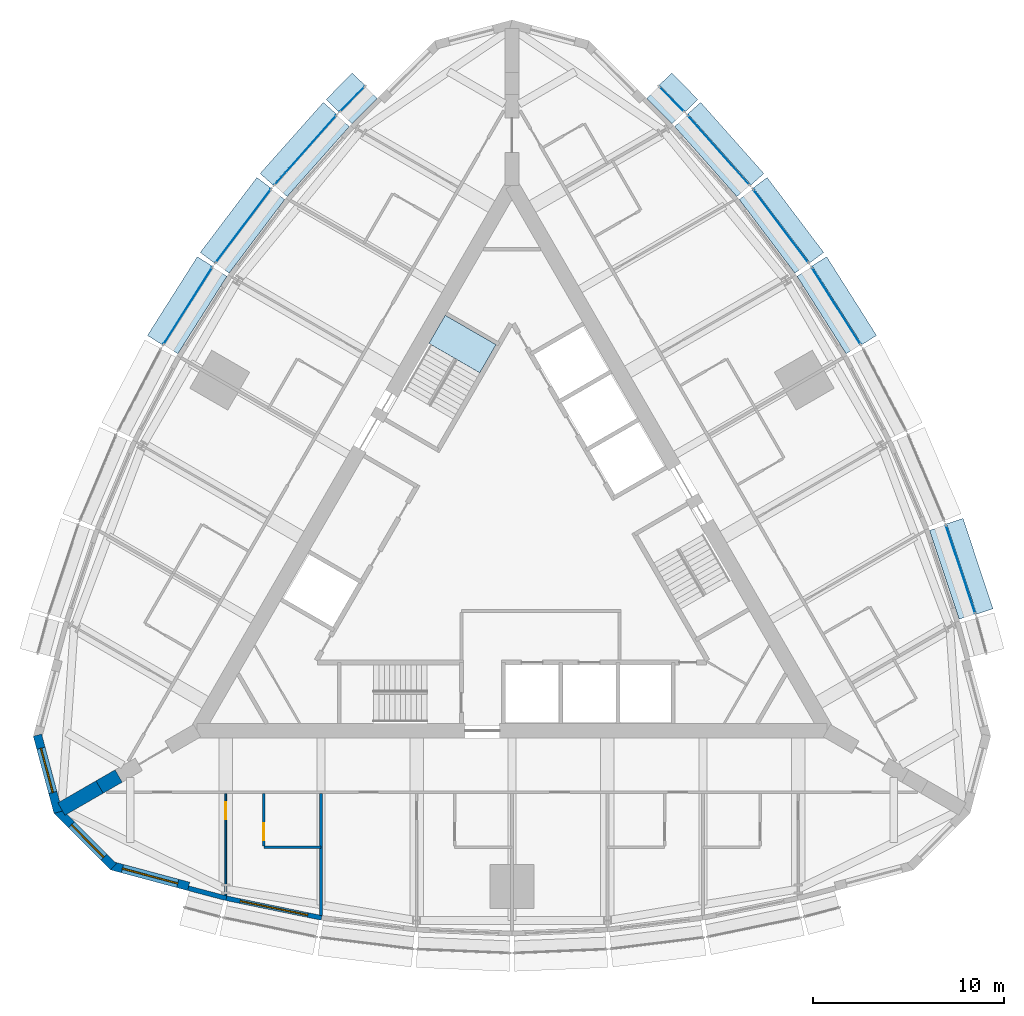
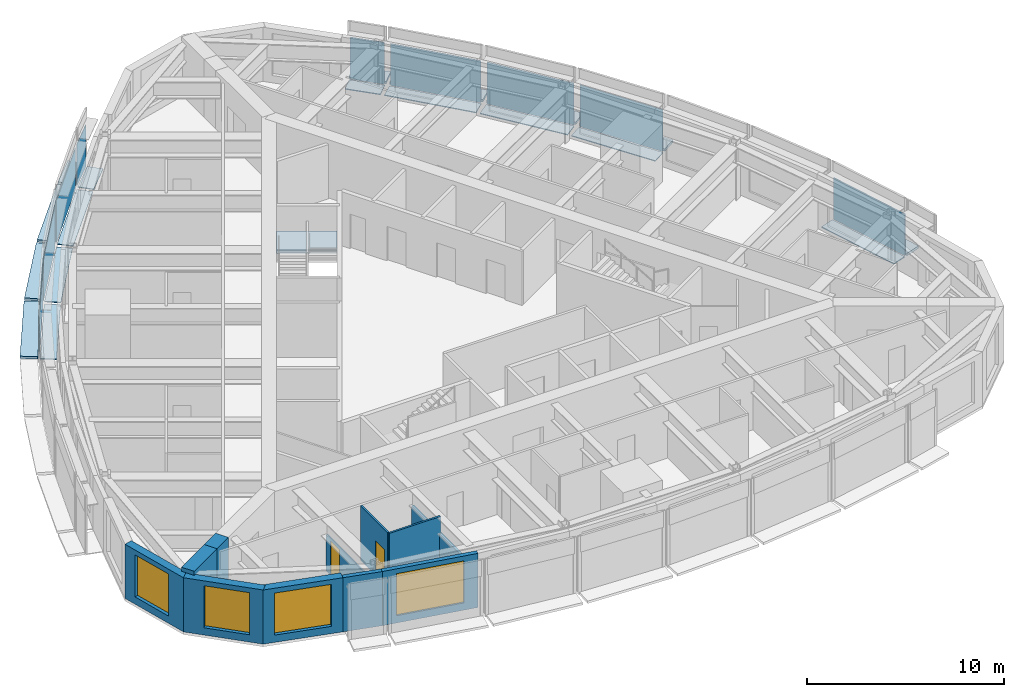
# One storey, part 8 of 15: 27 plates, 11 walls, 4 windows, 2 doors, 1 slab, 6 openings, 10 elements without a shape of their own.
"""IFC4 building model written with IfcOpenShell, lengths in metres."""

from ifc_helpers import new_model, si_unit, direction, frame, frame_2d, origin, origin_2d, place, context, subcontext, project, spatial, polyline, rectangle, outline, extrude, material, layer, layer_set, type_object, element, fill, aggregate, save


model = new_model("IFC4")

# Units and contexts
model_context = context("Model", 3, precision=1e-05, world=origin(), true_north=direction((0.0, 1.0)))
body_context = subcontext(model_context, "Body", "Model", "MODEL_VIEW")
ifc_project = project(units=[si_unit("LENGTHUNIT", "METRE"), si_unit("AREAUNIT", "SQUARE_METRE"), si_unit("VOLUMEUNIT", "CUBIC_METRE"), si_unit("PLANEANGLEUNIT", "RADIAN"), si_unit("MASSUNIT", "GRAM", prefix="KILO")], contexts=[model_context])

# Site, building, storey
site_placement = place(None, origin())
site = spatial("IfcSite", under=ifc_project, at=site_placement, CompositionType="ELEMENT")
building_placement = place(site_placement, origin())
building = spatial("IfcBuilding", under=site, at=building_placement, Name="Trikona Tower", CompositionType="ELEMENT")
storey_placement = place(building_placement, frame((0.0, 0.0, 229.699951171875)))
storey = spatial("IfcBuildingStorey", under=building, at=storey_placement, Name="L61", CompositionType="ELEMENT", Elevation=229.699951171875)

# Plates
ifc_material_1 = material(Name="Aluminium bar grating", Category="aluminium")
ifc_layer_1 = layer(ifc_material_1, 0.050048828125)
ifc_layer_set_1 = layer_set([ifc_layer_1], Name="Cavity catwalk grating")
plate_type_1 = type_object("IfcPlateType", Name="Cavity catwalk grating", PredefinedType="USERDEFINED", material=ifc_layer_set_1)
plate_1_placement = place(storey_placement, frame((23.05078125, -1.22314453125, -0.0498046875), z_axis=(0.0, 0.0, 1.0), x_axis=(-0.315092532747, 0.949060954737, 0.0)))
element("IfcPlate", 1, at=plate_1_placement, inside=storey, type_object=plate_type_1, Name="Cavity catwalk L61-13", ObjectType="CATWALK GRATING", PredefinedType="USERDEFINED", context=body_context, shape_type="SweptSolid", body=[
    extrude(rectangle(XDim=4.90478515625, YDim=0.840087890625, at=origin_2d()), origin(), (0.0, 0.0, 1.0), 0.050048828125),
])
plate_2_placement = place(storey_placement, frame((16.57666015625, 12.477294921875, -0.0498046875), z_axis=(0.0, 0.0, 1.0), x_axis=(-0.535204777743, 0.844722348397, 0.0)))
element("IfcPlate", 2, at=plate_2_placement, inside=storey, type_object=plate_type_1, Name="Cavity catwalk L61-16", ObjectType="CATWALK GRATING", PredefinedType="USERDEFINED", context=body_context, shape_type="SweptSolid", body=[
    extrude(rectangle(XDim=4.80419921875, YDim=0.840087890625, at=origin_2d()), origin(), (0.0, 0.0, 1.0), 0.050048828125),
])
plate_3_placement = place(storey_placement, frame((13.70068359375, 16.6298828125, -0.0498046875), z_axis=(0.0, 0.0, 1.0), x_axis=(-0.602401684924, 0.798193090674, 0.0)))
element("IfcPlate", 3, at=plate_3_placement, inside=storey, type_object=plate_type_1, Name="Cavity catwalk L61-17", ObjectType="CATWALK GRATING", PredefinedType="USERDEFINED", context=body_context, shape_type="SweptSolid", body=[
    extrude(rectangle(XDim=4.837890625, YDim=0.840087890625, at=origin_2d()), origin(), (0.0, 0.0, 1.0), 0.050048828125),
])
plate_4_placement = place(storey_placement, frame((10.466064453125, 20.57421875, -0.0498046875), z_axis=(0.0, 0.0, 1.0), x_axis=(-0.664367239113, 0.747406296196, 0.0)))
element("IfcPlate", 4, at=plate_4_placement, inside=storey, type_object=plate_type_1, Name="Cavity catwalk L61-18", ObjectType="CATWALK GRATING", PredefinedType="USERDEFINED", context=body_context, shape_type="SweptSolid", body=[
    extrude(rectangle(XDim=4.90478515625, YDim=0.840087890625, at=origin_2d()), origin(), (0.0, 0.0, 1.0), 0.050048828125),
])
for number, where, z_axis, x_axis, name in (
    (5, (8.0263671875, 23.23291015625, -0.0498046875), (0.0, 0.0, 1.0), (-0.704151057285, 0.710050201412, 0.0), "Cavity catwalk L61-19"),
    (6, (-8.0263671875, 23.23291015625, -0.0498046875), (0.0, 0.0, 1.0), (-0.704151057285, -0.710050201412, 0.0), "Cavity catwalk L61-24"),
):
    element("IfcPlate", number, at=place(storey_placement, frame(where, z_axis=z_axis, x_axis=x_axis)), inside=storey, type_object=plate_type_1, Name=name, ObjectType="CATWALK GRATING", PredefinedType="USERDEFINED", context=body_context, shape_type="SweptSolid", body=[
        extrude(rectangle(XDim=1.868408203125, YDim=0.840087890625, at=origin_2d()), origin(), (0.0, 0.0, 1.0), 0.050048828125),
    ])
plate_5_placement = place(storey_placement, frame((-10.466064453125, 20.57421875, -0.0498046875), z_axis=(0.0, 0.0, 1.0), x_axis=(-0.664367239113, -0.747406296196, 0.0)))
element("IfcPlate", 7, at=plate_5_placement, inside=storey, type_object=plate_type_1, Name="Cavity catwalk L61-25", ObjectType="CATWALK GRATING", PredefinedType="USERDEFINED", context=body_context, shape_type="SweptSolid", body=[
    extrude(rectangle(XDim=4.90478515625, YDim=0.840087890625, at=origin_2d()), origin(), (0.0, 0.0, 1.0), 0.050048828125),
])
plate_6_placement = place(storey_placement, frame((-13.70068359375, 16.6298828125, -0.0498046875), z_axis=(0.0, 0.0, 1.0), x_axis=(-0.602401684924, -0.798193090674, 0.0)))
element("IfcPlate", 8, at=plate_6_placement, inside=storey, type_object=plate_type_1, Name="Cavity catwalk L61-26", ObjectType="CATWALK GRATING", PredefinedType="USERDEFINED", context=body_context, shape_type="SweptSolid", body=[
    extrude(rectangle(XDim=4.837890625, YDim=0.840087890625, at=origin_2d()), origin(), (0.0, 0.0, 1.0), 0.050048828125),
])
plate_7_placement = place(storey_placement, frame((-16.57666015625, 12.477294921875, -0.0498046875), z_axis=(0.0, 0.0, 1.0), x_axis=(-0.535204777743, -0.844722348397, 0.0)))
element("IfcPlate", 9, at=plate_7_placement, inside=storey, type_object=plate_type_1, Name="Cavity catwalk L61-27", ObjectType="CATWALK GRATING", PredefinedType="USERDEFINED", context=body_context, shape_type="SweptSolid", body=[
    extrude(rectangle(XDim=4.80419921875, YDim=0.840087890625, at=origin_2d()), origin(), (0.0, 0.0, 1.0), 0.050048828125),
])

# Curtain wall, plate
ifc_material_2 = material(Name="Aluminium curtain wall system", Category="aluminium")
curtain_wall_type = type_object("IfcCurtainWallType", Name="Curtain wall DS3S", PredefinedType="NOTDEFINED", material=ifc_material_2)
curtain_wall_1_placement = place(storey_placement, origin())
curtain_wall_1 = element("IfcCurtainWall", 10, at=curtain_wall_1_placement, inside=storey, type_object=curtain_wall_type, Name="Curtain wall DS3S L61", PredefinedType="NOTDEFINED")
ifc_material_3 = material(Name="Laminated clear glass", Category="glass")
ifc_layer_2 = layer(ifc_material_3, 0.028076171875)
ifc_layer_set_2 = layer_set([ifc_layer_2], Name="Glass panel DS3S")
plate_type_2 = type_object("IfcPlateType", Name="Glass panel DS3S", PredefinedType="CURTAIN_PANEL", material=ifc_layer_set_2)
plate_8_placement = place(storey_placement, frame((23.50634765625, -1.072021484375, 0.0), z_axis=(0.0, 0.0, 1.0), x_axis=(-0.315078038687, 0.949065766708, 0.0)))
plate_8 = element("IfcPlate", 11, at=plate_8_placement, type_object=plate_type_2, Name="CW-DS3S panel 1.1", PredefinedType="CURTAIN_PANEL", context=body_context, shape_type="SweptSolid", body=[
    extrude(rectangle(XDim=4.8447265625, YDim=0.028076171875, at=origin_2d()), origin(), (0.0, 0.0, 1.0), 2.60009765625),
])
aggregate(curtain_wall_1, [plate_8])

curtain_wall_2_placement = place(storey_placement, origin())
curtain_wall_2 = element("IfcCurtainWall", 12, at=curtain_wall_2_placement, inside=storey, type_object=curtain_wall_type, Name="Curtain wall DS3S L61", PredefinedType="NOTDEFINED")
plate_9_placement = place(storey_placement, frame((16.982177734375, 12.734130859375, 0.0), z_axis=(0.0, 0.0, 1.0), x_axis=(-0.535197227854, 0.844727131858, 0.0)))
plate_9 = element("IfcPlate", 13, at=plate_9_placement, type_object=plate_type_2, Name="CW-DS3S panel 1.1", PredefinedType="CURTAIN_PANEL", context=body_context, shape_type="SweptSolid", body=[
    extrude(rectangle(XDim=4.744140625, YDim=0.028076171875, at=origin_2d()), origin(), (0.0, 0.0, 1.0), 2.60009765625),
])
aggregate(curtain_wall_2, [plate_9])

curtain_wall_3_placement = place(storey_placement, origin())
curtain_wall_3 = element("IfcCurtainWall", 14, at=curtain_wall_3_placement, inside=storey, type_object=curtain_wall_type, Name="Curtain wall DS3S L61", PredefinedType="NOTDEFINED")
plate_10_placement = place(storey_placement, frame((14.083740234375, 16.9189453125, 0.0), z_axis=(0.0, 0.0, 1.0), x_axis=(-0.602401528506, 0.798193208724, 0.0)))
plate_10 = element("IfcPlate", 15, at=plate_10_placement, type_object=plate_type_2, Name="CW-DS3S panel 1.1", PredefinedType="CURTAIN_PANEL", context=body_context, shape_type="SweptSolid", body=[
    extrude(rectangle(XDim=4.778076171875, YDim=0.028076171875, at=origin_2d()), origin(), (0.0, 0.0, 1.0), 2.60009765625),
])
aggregate(curtain_wall_3, [plate_10])

curtain_wall_4_placement = place(storey_placement, origin())
curtain_wall_4 = element("IfcCurtainWall", 16, at=curtain_wall_4_placement, inside=storey, type_object=curtain_wall_type, Name="Curtain wall DS3S L61", PredefinedType="NOTDEFINED")
plate_11_placement = place(storey_placement, frame((10.82470703125, 20.89306640625, 0.0), z_axis=(0.0, 0.0, 1.0), x_axis=(-0.664371309689, 0.747402677853, 0.0)))
plate_11 = element("IfcPlate", 17, at=plate_11_placement, type_object=plate_type_2, Name="CW-DS3S panel 1.1", PredefinedType="CURTAIN_PANEL", context=body_context, shape_type="SweptSolid", body=[
    extrude(rectangle(XDim=4.844970703125, YDim=0.028076171875, at=origin_2d()), origin(), (0.0, 0.0, 1.0), 2.60009765625),
])
aggregate(curtain_wall_4, [plate_11])

curtain_wall_5_placement = place(storey_placement, origin())
curtain_wall_5 = element("IfcCurtainWall", 18, at=curtain_wall_5_placement, inside=storey, type_object=curtain_wall_type, Name="Curtain wall DS3S L61", PredefinedType="NOTDEFINED")
plate_12_placement = place(storey_placement, frame((8.3671875, 23.57080078125, 0.0), z_axis=(0.0, 0.0, 1.0), x_axis=(-0.704149343903, 0.710051900554, 0.0)))
plate_12 = element("IfcPlate", 19, at=plate_12_placement, type_object=plate_type_2, Name="CW-DS3S panel 1.1", PredefinedType="CURTAIN_PANEL", context=body_context, shape_type="SweptSolid", body=[
    extrude(rectangle(XDim=1.808349609375, YDim=0.028076171875, at=origin_2d()), origin(), (0.0, 0.0, 1.0), 2.60009765625),
])
aggregate(curtain_wall_5, [plate_12])

curtain_wall_6_placement = place(storey_placement, origin())
curtain_wall_6 = element("IfcCurtainWall", 20, at=curtain_wall_6_placement, inside=storey, type_object=curtain_wall_type, Name="Curtain wall DS3S L61", PredefinedType="NOTDEFINED")
plate_13_placement = place(storey_placement, frame((-8.3671875, 23.57080078125, 0.0), z_axis=(0.0, 0.0, 1.0), x_axis=(-0.704149343903, -0.710051900554, 0.0)))
plate_13 = element("IfcPlate", 21, at=plate_13_placement, type_object=plate_type_2, Name="CW-DS3S panel 1.1", PredefinedType="CURTAIN_PANEL", context=body_context, shape_type="SweptSolid", body=[
    extrude(rectangle(XDim=1.808349609375, YDim=0.028076171875, at=origin_2d()), origin(), (0.0, 0.0, 1.0), 2.60009765625),
])
aggregate(curtain_wall_6, [plate_13])

curtain_wall_7_placement = place(storey_placement, origin())
curtain_wall_7 = element("IfcCurtainWall", 22, at=curtain_wall_7_placement, inside=storey, type_object=curtain_wall_type, Name="Curtain wall DS3S L61", PredefinedType="NOTDEFINED")
plate_14_placement = place(storey_placement, frame((-10.82470703125, 20.89306640625, 0.0), z_axis=(0.0, 0.0, 1.0), x_axis=(-0.664371309689, -0.747402677853, 0.0)))
plate_14 = element("IfcPlate", 23, at=plate_14_placement, type_object=plate_type_2, Name="CW-DS3S panel 1.1", PredefinedType="CURTAIN_PANEL", context=body_context, shape_type="SweptSolid", body=[
    extrude(rectangle(XDim=4.844970703125, YDim=0.028076171875, at=origin_2d()), origin(), (0.0, 0.0, 1.0), 2.60009765625),
])
aggregate(curtain_wall_7, [plate_14])

curtain_wall_8_placement = place(storey_placement, origin())
curtain_wall_8 = element("IfcCurtainWall", 24, at=curtain_wall_8_placement, inside=storey, type_object=curtain_wall_type, Name="Curtain wall DS3S L61", PredefinedType="NOTDEFINED")
plate_15_placement = place(storey_placement, frame((-14.083740234375, 16.9189453125, 0.0), z_axis=(0.0, 0.0, 1.0), x_axis=(-0.602401528506, -0.798193208724, 0.0)))
plate_15 = element("IfcPlate", 25, at=plate_15_placement, type_object=plate_type_2, Name="CW-DS3S panel 1.1", PredefinedType="CURTAIN_PANEL", context=body_context, shape_type="SweptSolid", body=[
    extrude(rectangle(XDim=4.778076171875, YDim=0.028076171875, at=origin_2d()), origin(), (0.0, 0.0, 1.0), 2.60009765625),
])
aggregate(curtain_wall_8, [plate_15])

curtain_wall_9_placement = place(storey_placement, origin())
curtain_wall_9 = element("IfcCurtainWall", 26, at=curtain_wall_9_placement, inside=storey, type_object=curtain_wall_type, Name="Curtain wall DS3S L61", PredefinedType="NOTDEFINED")
plate_16_placement = place(storey_placement, frame((-16.982177734375, 12.734130859375, 0.0), z_axis=(0.0, 0.0, 1.0), x_axis=(-0.535197227854, -0.844727131858, 0.0)))
plate_16 = element("IfcPlate", 27, at=plate_16_placement, type_object=plate_type_2, Name="CW-DS3S panel 1.1", PredefinedType="CURTAIN_PANEL", context=body_context, shape_type="SweptSolid", body=[
    extrude(rectangle(XDim=4.744140625, YDim=0.028076171875, at=origin_2d()), origin(), (0.0, 0.0, 1.0), 2.60009765625),
])
aggregate(curtain_wall_9, [plate_16])

# Plates
ifc_material_4 = material(Name="Aluminium plate fin, pale anodised, on stainless steel outriggers", Category="steel")
ifc_layer_3 = layer(ifc_material_4, 0.14990234375)
ifc_layer_set_3 = layer_set([ifc_layer_3], Name="Outer skin fin 900")
plate_type_3 = type_object("IfcPlateType", Name="Outer skin fin 900", PredefinedType="USERDEFINED", material=ifc_layer_set_3)
plate_17_placement = place(storey_placement, frame((23.990234375, -0.9111328125, 0.0), z_axis=(0.0, 0.0, 1.0), x_axis=(-0.315092532747, 0.949060954737, 0.0)))
element("IfcPlate", 28, at=plate_17_placement, inside=storey, type_object=plate_type_3, Name="Outer skin fin L61-13", ObjectType="FIN", PredefinedType="USERDEFINED", context=body_context, shape_type="SweptSolid", body=[
    extrude(rectangle(XDim=4.98486328125, YDim=0.89990234375, at=origin_2d()), origin(), (0.0, 0.0, 1.0), 0.14990234375),
])
plate_18_placement = place(storey_placement, frame((17.4130859375, 13.007080078125, 0.0), z_axis=(0.0, 0.0, 1.0), x_axis=(-0.535204777743, 0.844722348397, 0.0)))
element("IfcPlate", 29, at=plate_18_placement, inside=storey, type_object=plate_type_3, Name="Outer skin fin L61-16", ObjectType="FIN", PredefinedType="USERDEFINED", context=body_context, shape_type="SweptSolid", body=[
    extrude(rectangle(XDim=4.88427734375, YDim=0.89990234375, at=origin_2d()), origin(), (0.0, 0.0, 1.0), 0.14990234375),
])
plate_19_placement = place(storey_placement, frame((14.49072265625, 17.22607421875, 0.0), z_axis=(0.0, 0.0, 1.0), x_axis=(-0.602401684924, 0.798193090674, 0.0)))
element("IfcPlate", 30, at=plate_19_placement, inside=storey, type_object=plate_type_3, Name="Outer skin fin L61-17", ObjectType="FIN", PredefinedType="USERDEFINED", context=body_context, shape_type="SweptSolid", body=[
    extrude(rectangle(XDim=4.91796875, YDim=0.89990234375, at=origin_2d()), origin(), (0.0, 0.0, 1.0), 0.14990234375),
])
plate_20_placement = place(storey_placement, frame((11.2060546875, 21.23193359375, 0.0), z_axis=(0.0, 0.0, 1.0), x_axis=(-0.664367239113, 0.747406296196, 0.0)))
element("IfcPlate", 31, at=plate_20_placement, inside=storey, type_object=plate_type_3, Name="Outer skin fin L61-18", ObjectType="FIN", PredefinedType="USERDEFINED", context=body_context, shape_type="SweptSolid", body=[
    extrude(rectangle(XDim=4.98486328125, YDim=0.89990234375, at=origin_2d()), origin(), (0.0, 0.0, 1.0), 0.14990234375),
])
for number, where, z_axis, x_axis, name in (
    (32, (8.7294921875, 23.929931640625, 0.0), (0.0, 0.0, 1.0), (-0.704151057285, 0.710050201412, 0.0), "Outer skin fin L61-19"),
    (33, (-8.7294921875, 23.929931640625, 0.0), (0.0, 0.0, 1.0), (-0.704151057285, -0.710050201412, 0.0), "Outer skin fin L61-24"),
):
    element("IfcPlate", number, at=place(storey_placement, frame(where, z_axis=z_axis, x_axis=x_axis)), inside=storey, type_object=plate_type_3, Name=name, ObjectType="FIN", PredefinedType="USERDEFINED", context=body_context, shape_type="SweptSolid", body=[
        extrude(rectangle(XDim=1.9482421875, YDim=0.89990234375, at=origin_2d()), origin(), (0.0, 0.0, 1.0), 0.14990234375),
    ])
plate_21_placement = place(storey_placement, frame((-11.2060546875, 21.23193359375, 0.0), z_axis=(0.0, 0.0, 1.0), x_axis=(-0.664367239113, -0.747406296196, 0.0)))
element("IfcPlate", 34, at=plate_21_placement, inside=storey, type_object=plate_type_3, Name="Outer skin fin L61-25", ObjectType="FIN", PredefinedType="USERDEFINED", context=body_context, shape_type="SweptSolid", body=[
    extrude(rectangle(XDim=4.98486328125, YDim=0.89990234375, at=origin_2d()), origin(), (0.0, 0.0, 1.0), 0.14990234375),
])
plate_22_placement = place(storey_placement, frame((-14.49072265625, 17.22607421875, 0.0), z_axis=(0.0, 0.0, 1.0), x_axis=(-0.602401684924, -0.798193090674, 0.0)))
element("IfcPlate", 35, at=plate_22_placement, inside=storey, type_object=plate_type_3, Name="Outer skin fin L61-26", ObjectType="FIN", PredefinedType="USERDEFINED", context=body_context, shape_type="SweptSolid", body=[
    extrude(rectangle(XDim=4.91796875, YDim=0.89990234375, at=origin_2d()), origin(), (0.0, 0.0, 1.0), 0.14990234375),
])
plate_23_placement = place(storey_placement, frame((-17.4130859375, 13.007080078125, 0.0), z_axis=(0.0, 0.0, 1.0), x_axis=(-0.535204777743, -0.844722348397, 0.0)))
element("IfcPlate", 36, at=plate_23_placement, inside=storey, type_object=plate_type_3, Name="Outer skin fin L61-27", ObjectType="FIN", PredefinedType="USERDEFINED", context=body_context, shape_type="SweptSolid", body=[
    extrude(rectangle(XDim=4.88427734375, YDim=0.89990234375, at=origin_2d()), origin(), (0.0, 0.0, 1.0), 0.14990234375),
])

# Stair, slab
ifc_material_5 = material(Name="Concrete f'c 5000 psi", Category="concrete")
stair_type = type_object("IfcStairType", Name="Core stair", PredefinedType="HALF_TURN_STAIR", material=ifc_material_5)
stair_placement = place(storey_placement, origin())
stair = element("IfcStair", 37, at=stair_placement, inside=storey, type_object=stair_type, Name="Stair C L61", PredefinedType="HALF_TURN_STAIR")
ifc_material_6 = material(Name="Concrete f'c 5000 psi", Category="concrete")
ifc_layer_4 = layer(ifc_material_6, 0.199951171875)
ifc_layer_set_4 = layer_set([ifc_layer_4], Name="Stair landing 200")
slab_type = type_object("IfcSlabType", Name="Stair landing 200", PredefinedType="LANDING", material=ifc_layer_set_4)
slab_placement = place(storey_placement, frame((0.0, 0.0, 1.60009765625)))
slab = element("IfcSlab", 38, at=slab_placement, type_object=slab_type, Name="ST-C landing 2", PredefinedType="LANDING", context=body_context, shape_type="SweptSolid", body=[
    extrude(outline(polyline([(-0.837158203125, 10.702392578125), (-1.688720703125, 9.2275390625), (-4.351806640625, 10.76513671875), (-3.500244140625, 12.239990234375), (-0.837158203125, 10.702392578125)])), origin(), (0.0, 0.0, 1.0), 0.199951171875),
])
aggregate(stair, [slab])

# Wall
ifc_material_7 = material(Name="Metal stud and cement board", Category="gypsum")
ifc_layer_5 = layer(ifc_material_7, 0.1201171875)
ifc_layer_set_5 = layer_set([ifc_layer_5], Name="Bathroom wall 120")
wall_type_1 = type_object("IfcWallType", Name="Bathroom wall 120", PredefinedType="PLUMBINGWALL", material=ifc_layer_set_5)
wall_1_placement = place(storey_placement, frame((-13.0, -15.626220703125, 0.0), z_axis=(0.0, 0.0, 1.0), x_axis=(1.0, 0.0, 0.0)))
element("IfcWall", 39, at=wall_1_placement, inside=storey, type_object=wall_type_1, Name="Bathroom wall 6101.1", PredefinedType="PLUMBINGWALL", context=body_context, shape_type="SweptSolid", body=[
    extrude(rectangle(XDim=3.0, YDim=0.1201171875, at=frame_2d((1.5, 0.0))), origin(), (0.0, 0.0, 1.0), 3.35009765625),
])

# Wall, opening, door
wall_2_placement = place(storey_placement, frame((-13.0, -12.826416015625, 0.0), z_axis=(0.0, 0.0, 1.0), x_axis=(0.0, -1.0, 0.0)))
wall_2 = element("IfcWall", 40, at=wall_2_placement, inside=storey, type_object=wall_type_1, Name="Bathroom wall 6101.1", PredefinedType="PLUMBINGWALL", context=body_context, shape_type="SweptSolid", body=[
    extrude(rectangle(XDim=2.739990234375, YDim=0.1201171875, at=frame_2d((1.3701171875, 0.0))), origin(), (0.0, 0.0, 1.0), 3.35009765625),
])
opening_1_placement = place(wall_2_placement, frame((1.550048828125, 0.0, 0.0)))
opening_1 = element("IfcOpeningElement", 41, at=opening_1_placement, cuts=wall_2, Name="Opening D2", PredefinedType="OPENING", context=body_context, shape_type="SweptSolid", body=[
    extrude(rectangle(XDim=0.89990234375, YDim=2.1298828125, at=frame_2d((0.449951171875, 1.06494140625))), frame((0.0, 0.070068359375, 0.0), z_axis=(0.0, -1.0, 0.0), x_axis=(1.0, 0.0, 0.0)), (0.0, 0.0, 1.0), 0.14013671875),
])
ifc_material_8 = material(Name="Steel door frame with solid-core timber leaf", Category="steel")
door_type_1 = type_object("IfcDoorType", Name="Bathroom door 900x2130", OperationType="SLIDING_TO_LEFT", PredefinedType="DOOR", material=ifc_material_8)
door_1_placement = place(opening_1_placement, origin())
door_1 = element("IfcDoor", 42, at=door_1_placement, inside=storey, type_object=door_type_1, Name="Bathroom door 6101.1", OperationType="SLIDING_TO_LEFT", OverallHeight=2.1298828125, OverallWidth=0.89990234375, PredefinedType="DOOR", context=body_context, shape_type="SweptSolid", body=[
    extrude(rectangle(XDim=0.89990234375, YDim=2.1298828125, at=frame_2d((0.449951171875, 1.06494140625))), frame((0.0, 0.02490234375, 0.0), z_axis=(0.0, -1.0, 0.0), x_axis=(1.0, 0.0, 0.0)), (0.0, 0.0, 1.0), 0.050048828125),
])
fill(opening_1, door_1)

# Wall, opening, window
ifc_material_9 = material(Name="Brick-faced precast concrete", Category="masonry")
ifc_layer_6 = layer(ifc_material_9, 0.449951171875)
ifc_layer_set_6 = layer_set([ifc_layer_6], Name="Brick-faced corner wall 450")
wall_type_2 = type_object("IfcWallType", Name="Brick-faced corner wall 450", PredefinedType="SOLIDWALL", material=ifc_layer_set_6)
wall_3_placement = place(storey_placement, frame((-24.865478515625, -9.7568359375, 0.0), z_axis=(0.0, 0.0, 1.0), x_axis=(0.258799282522, -0.96593112144, 0.0)))
wall_3 = element("IfcWall", 43, at=wall_3_placement, inside=storey, type_object=wall_type_2, Name="External wall L61-33", PredefinedType="SOLIDWALL", context=body_context, shape_type="SweptSolid", body=[
    extrude(outline(polyline([(4.183837890625, 0.22509765625), (4.12451171875, 0.22509765625), (3.705078125, 0.112548828125), (3.675048828125, 0.22509765625), (0.0, 0.22509765625), (0.0, -0.22509765625), (4.183837890625, -0.22509765625), (4.183837890625, 0.22509765625)])), origin(), (0.0, 0.0, 1.0), 3.35009765625),
])
opening_2_placement = place(wall_3_placement, frame((0.712646484375, 0.0, 0.449951171875)))
opening_2 = element("IfcOpeningElement", 44, at=opening_2_placement, cuts=wall_3, Name="Opening W2426", PredefinedType="OPENING", context=body_context, shape_type="SweptSolid", body=[
    extrude(rectangle(XDim=2.39990234375, YDim=2.60009765625, at=frame_2d((1.199951171875, 1.300048828125))), frame((0.0, 0.23486328125, 0.0), z_axis=(0.0, -1.0, 0.0), x_axis=(1.0, 0.0, 0.0)), (0.0, 0.0, 1.0), 0.469970703125),
])
ifc_material_10 = material(Name="Aluminium-framed double glazing", Category="aluminium")
window_type_1 = type_object("IfcWindowType", Name="Window 2400x2600", PartitioningType="SINGLE_PANEL", PredefinedType="WINDOW", material=ifc_material_10)
window_1_placement = place(opening_2_placement, origin())
window_1 = element("IfcWindow", 45, at=window_1_placement, inside=storey, type_object=window_type_1, Name="Window 6112", OverallHeight=2.60009765625, OverallWidth=2.39990234375, PartitioningType="SINGLE_PANEL", PredefinedType="WINDOW", context=body_context, shape_type="SweptSolid", body=[
    extrude(rectangle(XDim=2.39990234375, YDim=2.60009765625, at=frame_2d((1.199951171875, 1.300048828125))), frame((0.0, 0.030029296875, 0.0), z_axis=(0.0, -1.0, 0.0), x_axis=(1.0, 0.0, 0.0)), (0.0, 0.0, 1.0), 0.06005859375),
])
fill(opening_2, window_1)

wall_4_placement = place(storey_placement, frame((-23.8408203125, -13.697265625, 0.0), z_axis=(0.0, 0.0, 1.0), x_axis=(0.707077605902, -0.707135955267, 0.0)))
wall_4 = element("IfcWall", 46, at=wall_4_placement, inside=storey, type_object=wall_type_2, Name="External wall L61-34", PredefinedType="SOLIDWALL", context=body_context, shape_type="SweptSolid", body=[
    extrude(outline(polyline([(4.18408203125, 0.22509765625), (0.5087890625, 0.22509765625), (0.478759765625, 0.112548828125), (0.05908203125, 0.22509765625), (0.0, 0.22509765625), (0.0, -0.22509765625), (4.18408203125, -0.22509765625), (4.18408203125, 0.22509765625)])), origin(), (0.0, 0.0, 1.0), 3.35009765625),
])
opening_3_placement = place(wall_4_placement, frame((1.0712890625, 0.0, 0.449951171875)))
opening_3 = element("IfcOpeningElement", 47, at=opening_3_placement, cuts=wall_4, Name="Opening W2426", PredefinedType="OPENING", context=body_context, shape_type="SweptSolid", body=[
    extrude(rectangle(XDim=2.39990234375, YDim=2.60009765625, at=frame_2d((1.199951171875, 1.300048828125))), frame((0.0, 0.23486328125, 0.0), z_axis=(0.0, -1.0, 0.0), x_axis=(1.0, 0.0, 0.0)), (0.0, 0.0, 1.0), 0.469970703125),
])
window_2_placement = place(opening_3_placement, origin())
window_2 = element("IfcWindow", 48, at=window_2_placement, inside=storey, type_object=window_type_1, Name="Window 6101", OverallHeight=2.60009765625, OverallWidth=2.39990234375, PartitioningType="SINGLE_PANEL", PredefinedType="WINDOW", context=body_context, shape_type="SweptSolid", body=[
    extrude(rectangle(XDim=2.39990234375, YDim=2.60009765625, at=frame_2d((1.199951171875, 1.300048828125))), frame((0.0, 0.030029296875, 0.0), z_axis=(0.0, -1.0, 0.0), x_axis=(1.0, 0.0, 0.0)), (0.0, 0.0, 1.0), 0.06005859375),
])
fill(opening_3, window_2)

wall_5_placement = place(storey_placement, frame((-20.9833984375, -16.59765625, 0.0), z_axis=(0.0, 0.0, 1.0), x_axis=(0.965920442324, -0.258839137498, 0.0)))
wall_5 = element("IfcWall", 49, at=wall_5_placement, inside=storey, type_object=wall_type_2, Name="External wall L61-35", PredefinedType="SOLIDWALL", context=body_context, shape_type="SweptSolid", body=[
    extrude(rectangle(XDim=4.18408203125, YDim=0.449951171875, at=frame_2d((2.092041015625, 0.0))), origin(), (0.0, 0.0, 1.0), 3.35009765625),
])
opening_4_placement = place(wall_5_placement, frame((0.592041015625, 0.0, 0.449951171875)))
opening_4 = element("IfcOpeningElement", 50, at=opening_4_placement, cuts=wall_5, Name="Opening W3026", PredefinedType="OPENING", context=body_context, shape_type="SweptSolid", body=[
    extrude(rectangle(XDim=3.0, YDim=2.60009765625, at=frame_2d((1.5, 1.300048828125))), frame((0.0, 0.23486328125, 0.0), z_axis=(0.0, -1.0, 0.0), x_axis=(1.0, 0.0, 0.0)), (0.0, 0.0, 1.0), 0.469970703125),
])
ifc_material_11 = material(Name="Aluminium-framed double glazing", Category="aluminium")
window_type_2 = type_object("IfcWindowType", Name="Window 3000x2600", PartitioningType="SINGLE_PANEL", PredefinedType="WINDOW", material=ifc_material_11)
window_3_placement = place(opening_4_placement, origin())
window_3 = element("IfcWindow", 51, at=window_3_placement, inside=storey, type_object=window_type_2, Name="Window 6101", OverallHeight=2.60009765625, OverallWidth=3.0, PartitioningType="SINGLE_PANEL", PredefinedType="WINDOW", context=body_context, shape_type="SweptSolid", body=[
    extrude(rectangle(XDim=3.0, YDim=2.60009765625, at=frame_2d((1.5, 1.300048828125))), frame((0.0, 0.030029296875, 0.0), z_axis=(0.0, -1.0, 0.0), x_axis=(1.0, 0.0, 0.0)), (0.0, 0.0, 1.0), 0.06005859375),
])
fill(opening_4, window_3)

# Walls
ifc_material_12 = material(Name="Concrete f'c 10000 psi", Category="concrete")
ifc_layer_7 = layer(ifc_material_12, 0.75)
ifc_layer_set_7 = layer_set([ifc_layer_7], Name="Buttress wall 750")
wall_type_3 = type_object("IfcWallType", Name="Buttress wall 750", PredefinedType="SHEAR", material=ifc_layer_set_7)
wall_6_placement = place(storey_placement, frame((-20.6103515625, -11.8994140625, 0.0), z_axis=(0.0, 0.0, 1.0), x_axis=(-0.866009537788, -0.500027479704, 0.0)))
element("IfcWall", 52, at=wall_6_placement, inside=storey, type_object=wall_type_3, Name="Buttress wall 3 part 2", PredefinedType="SHEAR", context=body_context, shape_type="SweptSolid", body=[
    extrude(rectangle(XDim=1.15478515625, YDim=0.75, at=frame_2d((0.577392578125, 0.0))), origin(), (0.0, 0.0, 1.0), 3.60009765625),
])
wall_7_placement = place(storey_placement, frame((-21.6103515625, -12.476806640625, 0.0), z_axis=(0.0, 0.0, 1.0), x_axis=(-0.866055313784, -0.499948190782, 0.0)))
element("IfcWall", 53, at=wall_7_placement, inside=storey, type_object=wall_type_3, Name="Buttress wall 3 part 3", PredefinedType="SHEAR", context=body_context, shape_type="SweptSolid", body=[
    extrude(rectangle(XDim=2.309326171875, YDim=0.75, at=frame_2d((1.15478515625, 0.0))), origin(), (0.0, 0.0, 1.0), 3.60009765625),
])
ifc_material_13 = material(Name="Insulated precast concrete spandrel panel", Category="concrete")
ifc_layer_8 = layer(ifc_material_13, 0.25)
ifc_layer_set_8 = layer_set([ifc_layer_8], Name="Inner skin wall 250")
wall_type_4 = type_object("IfcWallType", Name="Inner skin wall 250", PredefinedType="STANDARD", material=ifc_layer_set_8)
wall_8_placement = place(storey_placement, frame((-16.968017578125, -17.777099609375, 0.0), z_axis=(0.0, 0.0, 1.0), x_axis=(0.967010286052, -0.254737328772, 0.0)))
element("IfcWall", 54, at=wall_8_placement, inside=storey, type_object=wall_type_4, Name="External wall L61-00", PredefinedType="STANDARD", context=body_context, shape_type="SweptSolid", body=[
    extrude(rectangle(XDim=2.068115234375, YDim=0.25, at=frame_2d((1.0341796875, 0.0))), origin(), (0.0, 0.0, 1.0), 3.35009765625),
])

# Wall, opening, window
wall_9_placement = place(storey_placement, frame((-14.974853515625, -18.302490234375, 0.0), z_axis=(0.0, 0.0, 1.0), x_axis=(0.979461488189, -0.201631329795, 0.0)))
wall_9 = element("IfcWall", 55, at=wall_9_placement, inside=storey, type_object=wall_type_4, Name="External wall L61-01", PredefinedType="STANDARD", context=body_context, shape_type="SweptSolid", body=[
    extrude(rectangle(XDim=5.104736328125, YDim=0.25, at=frame_2d((2.55224609375, 0.0))), origin(), (0.0, 0.0, 1.0), 3.35009765625),
])
opening_5_placement = place(wall_9_placement, frame((0.75244140625, 0.0, 0.449951171875)))
opening_5 = element("IfcOpeningElement", 56, at=opening_5_placement, cuts=wall_9, Name="Opening W3626", PredefinedType="OPENING", context=body_context, shape_type="SweptSolid", body=[
    extrude(rectangle(XDim=3.60009765625, YDim=2.60009765625, at=frame_2d((1.800048828125, 1.300048828125))), frame((0.0, 0.135009765625, 0.0), z_axis=(0.0, -1.0, 0.0), x_axis=(1.0, 0.0, 0.0)), (0.0, 0.0, 1.0), 0.27001953125),
])
ifc_material_14 = material(Name="Aluminium-framed double glazing", Category="aluminium")
window_type_3 = type_object("IfcWindowType", Name="Window 3600x2600", PartitioningType="SINGLE_PANEL", PredefinedType="WINDOW", material=ifc_material_14)
window_4_placement = place(opening_5_placement, origin())
window_4 = element("IfcWindow", 57, at=window_4_placement, inside=storey, type_object=window_type_3, Name="Window 6101.1", OverallHeight=2.60009765625, OverallWidth=3.60009765625, PartitioningType="SINGLE_PANEL", PredefinedType="WINDOW", context=body_context, shape_type="SweptSolid", body=[
    extrude(rectangle(XDim=3.60009765625, YDim=2.60009765625, at=frame_2d((1.800048828125, 1.300048828125))), frame((0.0, 0.030029296875, 0.0), z_axis=(0.0, -1.0, 0.0), x_axis=(1.0, 0.0, 0.0)), (0.0, 0.0, 1.0), 0.06005859375),
])
fill(opening_5, window_4)

# Wall
ifc_material_15 = material(Name="Metal stud and gypsum board, 1-hour acoustic", Category="gypsum")
ifc_layer_9 = layer(ifc_material_15, 0.14990234375)
ifc_layer_set_9 = layer_set([ifc_layer_9], Name="Party wall 150")
wall_type_5 = type_object("IfcWallType", Name="Party wall 150", PredefinedType="PARTITIONING", material=ifc_layer_set_9)
wall_10_placement = place(storey_placement, frame((-10.0, -12.826416015625, 0.0), z_axis=(0.0, 0.0, 1.0), x_axis=(0.0, -1.0, 0.0)))
element("IfcWall", 58, at=wall_10_placement, inside=storey, type_object=wall_type_5, Name="Partition L61 F1 u-10", PredefinedType="PARTITIONING", context=body_context, shape_type="SweptSolid", body=[
    extrude(rectangle(XDim=6.372802734375, YDim=0.14990234375, at=frame_2d((3.1865234375, 0.0))), origin(), (0.0, 0.0, 1.0), 2.30859375),
])

# Wall, opening, door
ifc_material_16 = material(Name="Metal stud and gypsum board, acoustic", Category="gypsum")
ifc_layer_10 = layer(ifc_material_16, 0.10009765625)
ifc_layer_set_10 = layer_set([ifc_layer_10], Name="Suite partition 100")
wall_type_6 = type_object("IfcWallType", Name="Suite partition 100", PredefinedType="PARTITIONING", material=ifc_layer_set_10)
wall_11_placement = place(storey_placement, frame((-15.0, -12.826416015625, 0.0), z_axis=(0.0, 0.0, 1.0), x_axis=(0.0, -1.0, 0.0)))
wall_11 = element("IfcWall", 59, at=wall_11_placement, inside=storey, type_object=wall_type_6, Name="Suite partition L61 F1 u-15", PredefinedType="PARTITIONING", context=body_context, shape_type="SweptSolid", body=[
    extrude(rectangle(XDim=5.340087890625, YDim=0.10009765625, at=frame_2d((2.669921875, 0.0))), origin(), (0.0, 0.0, 1.0), 2.25),
])
opening_6_placement = place(wall_11_placement, frame((0.449951171875, 0.0, 0.0)))
opening_6 = element("IfcOpeningElement", 60, at=opening_6_placement, cuts=wall_11, Name="Opening D13", PredefinedType="OPENING", context=body_context, shape_type="SweptSolid", body=[
    extrude(rectangle(XDim=0.89990234375, YDim=2.1298828125, at=frame_2d((0.449951171875, 1.06494140625))), frame((0.0, 0.06005859375, 0.0), z_axis=(0.0, -1.0, 0.0), x_axis=(1.0, 0.0, 0.0)), (0.0, 0.0, 1.0), 0.1201171875),
])
ifc_material_17 = material(Name="Steel door frame with solid-core timber leaf", Category="steel")
door_type_2 = type_object("IfcDoorType", Name="Suite door 900x2130", OperationType="SINGLE_SWING_LEFT", PredefinedType="DOOR", material=ifc_material_17)
door_2_placement = place(opening_6_placement, origin())
door_2 = element("IfcDoor", 61, at=door_2_placement, inside=storey, type_object=door_type_2, Name="Suite door 6101", OperationType="SINGLE_SWING_LEFT", OverallHeight=2.1298828125, OverallWidth=0.89990234375, PredefinedType="DOOR", context=body_context, shape_type="SweptSolid", body=[
    extrude(rectangle(XDim=0.89990234375, YDim=2.1298828125, at=frame_2d((0.449951171875, 1.06494140625))), frame((0.0, 0.02490234375, 0.0), z_axis=(0.0, -1.0, 0.0), x_axis=(1.0, 0.0, 0.0)), (0.0, 0.0, 1.0), 0.050048828125),
])
fill(opening_6, door_2)

save(model, "model.ifc")
